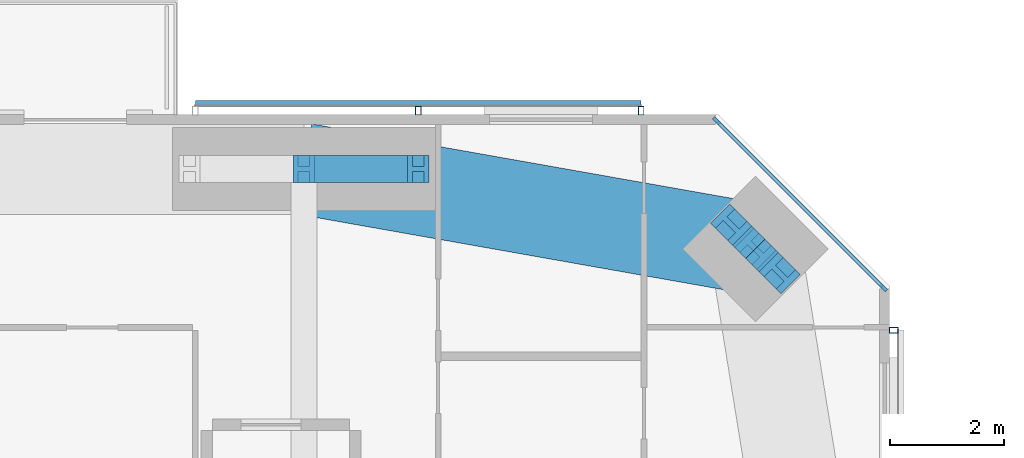
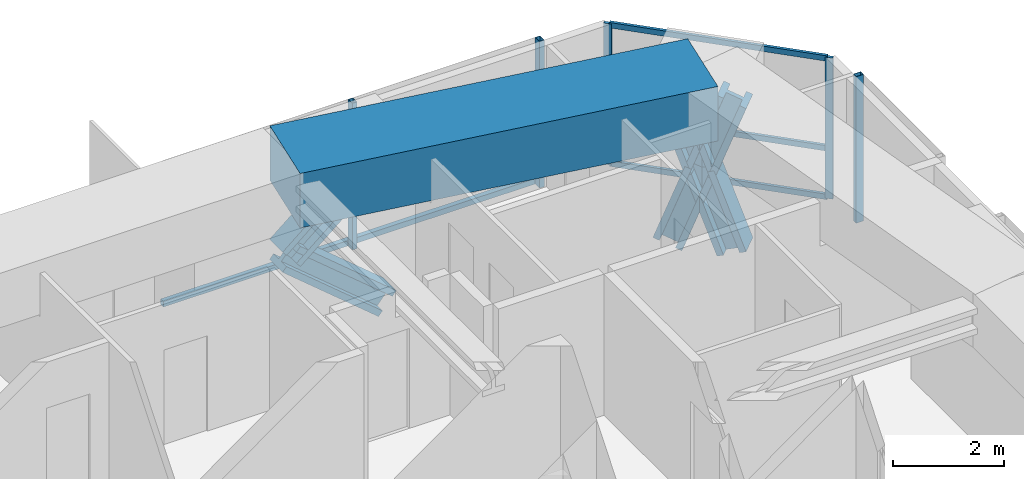
# One storey, part 13 of 23: 15 members, 1 beam, 3 elements without a shape of their own.
"""IFC4 building model written with IfcOpenShell, lengths in metres."""

from ifc_helpers import new_model, si_unit, direction, frame, origin, origin_2d, place, context, subcontext, project, spatial, rectangle, hollow_rectangle, i_section, extrude, material, material_profile, profile_set, type_object, element, aggregate, save


model = new_model("IFC4")

# Units and contexts
model_context = context("Model", 3, precision=1e-05, world=origin(), true_north=direction((0.0, 1.0)))
body_context = subcontext(model_context, "Body", "Model", "MODEL_VIEW")
ifc_project = project(units=[si_unit("LENGTHUNIT", "METRE"), si_unit("AREAUNIT", "SQUARE_METRE"), si_unit("VOLUMEUNIT", "CUBIC_METRE"), si_unit("PLANEANGLEUNIT", "RADIAN"), si_unit("MASSUNIT", "GRAM", prefix="KILO")], contexts=[model_context])

# Site, building, storey
site_placement = place(None, origin())
site = spatial("IfcSite", under=ifc_project, at=site_placement, CompositionType="ELEMENT")
building_placement = place(site_placement, origin())
building = spatial("IfcBuilding", under=site, at=building_placement, Name="Jalousie Tower", CompositionType="ELEMENT")
storey_placement = place(building_placement, frame((0.0, 0.0, 171.10009765625)))
storey = spatial("IfcBuildingStorey", under=building, at=storey_placement, Name="L46", CompositionType="ELEMENT", Elevation=171.10009765625)

# Curtain wall, members
ifc_material_1 = material(Name="Aluminium curtain wall", Category="aluminium")
curtain_wall_type_1 = type_object("IfcCurtainWallType", Name="CORNER WINDOW WALL", PredefinedType="USERDEFINED", material=ifc_material_1)
curtain_wall_1_placement = place(storey_placement, origin())
curtain_wall_1 = element("IfcCurtainWall", 1, at=curtain_wall_1_placement, inside=storey, type_object=curtain_wall_type_1, Name="Corner Window Wall L46 4", ObjectType="CORNER WINDOW WALL", PredefinedType="USERDEFINED")
ifc_material_2 = material(Name="Aluminium mullion", Category="aluminium")
ifc_material_profile_1 = material_profile(ifc_material_2, rectangle(XDim=0.06005859375, YDim=0.14990234375, at=origin_2d()), Name="MULLION 60x150")
ifc_profile_set_1 = profile_set([ifc_material_profile_1], Name="Aluminium mullion")
member_type_1 = type_object("IfcMemberType", Name="CORNER WINDOW WALL MULLION", PredefinedType="MULLION", material=ifc_profile_set_1)
member_1_placement = place(storey_placement, frame((52.891357421875, 32.969970703125, 0.0), z_axis=(0.0, 0.0, 1.0), x_axis=(-0.707106781187, -0.707106781187, 0.0)))
member_1 = element("IfcMember", 2, at=member_1_placement, type_object=member_type_1, Name="CW-C mullion 1", PredefinedType="MULLION", context=body_context, shape_type="SweptSolid", body=[
    extrude(rectangle(XDim=0.06005859375, YDim=0.14990234375, at=origin_2d()), origin(), (0.0, 0.0, 1.0), 3.10986328125),
])
member_2_placement = place(storey_placement, frame((49.969970703125, 35.891357421875, 0.0), z_axis=(0.0, 0.0, 1.0), x_axis=(-0.707106781187, -0.707106781187, 0.0)))
member_2 = element("IfcMember", 3, at=member_2_placement, type_object=member_type_1, Name="CW-C mullion 2", PredefinedType="MULLION", context=body_context, shape_type="SweptSolid", body=[
    extrude(rectangle(XDim=0.06005859375, YDim=0.14990234375, at=origin_2d()), origin(), (0.0, 0.0, 1.0), 3.10986328125),
])
ifc_material_3 = material(Name="Aluminium transom", Category="aluminium")
ifc_material_profile_2 = material_profile(ifc_material_3, rectangle(XDim=0.06005859375, YDim=0.1201171875, at=origin_2d()), Name="TRANSOM 60x120")
ifc_profile_set_2 = profile_set([ifc_material_profile_2], Name="Aluminium transom")
member_type_2 = type_object("IfcMemberType", Name="CORNER WINDOW WALL TRANSOM", PredefinedType="USERDEFINED", material=ifc_profile_set_2)
member_3_placement = place(storey_placement, frame((52.8701171875, 32.9912109375, 0.02978515625), z_axis=(-0.707106781187, 0.707106781187, 0.0), x_axis=(-0.707106781187, -0.707106781187, 0.0)))
member_3 = element("IfcMember", 4, at=member_3_placement, type_object=member_type_2, Name="CW-C transom 1.1", ObjectType="TRANSOM", PredefinedType="USERDEFINED", context=body_context, shape_type="SweptSolid", body=[
    extrude(rectangle(XDim=0.06005859375, YDim=0.1201171875, at=origin_2d()), origin(), (0.0, 0.0, 1.0), 4.0712890625),
])
member_4_placement = place(storey_placement, frame((52.8701171875, 32.9912109375, 1.099853515625), z_axis=(-0.707106781187, 0.707106781187, 0.0), x_axis=(-0.707106781187, -0.707106781187, 0.0)))
member_4 = element("IfcMember", 5, at=member_4_placement, type_object=member_type_2, Name="CW-C transom 1.2", ObjectType="TRANSOM", PredefinedType="USERDEFINED", context=body_context, shape_type="SweptSolid", body=[
    extrude(rectangle(XDim=0.06005859375, YDim=0.1201171875, at=origin_2d()), origin(), (0.0, 0.0, 1.0), 4.0712890625),
])
member_5_placement = place(storey_placement, frame((52.8701171875, 32.9912109375, 3.079833984375), z_axis=(-0.707106781187, 0.707106781187, 0.0), x_axis=(-0.707106781187, -0.707106781187, 0.0)))
member_5 = element("IfcMember", 6, at=member_5_placement, type_object=member_type_2, Name="CW-C transom 1.3", ObjectType="TRANSOM", PredefinedType="USERDEFINED", context=body_context, shape_type="SweptSolid", body=[
    extrude(rectangle(XDim=0.06005859375, YDim=0.1201171875, at=origin_2d()), origin(), (0.0, 0.0, 1.0), 4.0712890625),
])
aggregate(curtain_wall_1, [member_1, member_2, member_3, member_4, member_5])

# Members
ifc_material_4 = material(Name="Steel ASTM A992 Grade 50", Category="steel")
ifc_material_profile_3 = material_profile(ifc_material_4, i_section(OverallWidth=0.472412109375, OverallDepth=0.5791015625, WebThickness=0.094970703125, FlangeThickness=0.1298828125, at=origin_2d()), Name="W14X808")
ifc_profile_set_3 = profile_set([ifc_material_profile_3], Name="Steel ASTM A992 Grade 50")
member_type_3 = type_object("IfcMemberType", Name="PERIMETER BRACE W14X808", PredefinedType="BRACE", material=ifc_profile_set_3)
for number, where, z_axis, x_axis, name in (
    (7, (51.07568359375, 33.227294921875, -0.60009765625), (-0.238345540878, 0.238482757655, 0.941444303953), (-0.707310235866, -0.706903267951, 0.0), "Perimeter brace 08 L46 part 1"),
    (8, (50.651611328125, 33.651611328125, 1.074951171875), (-0.238482757655, 0.238345540878, 0.941444303953), (-0.706903267951, -0.707310235866, 0.0), "Perimeter brace 08 L46 part 2"),
    (9, (50.227294921875, 34.07568359375, -0.60009765625), (0.238482757655, -0.238345540878, 0.941444303953), (0.706903267951, 0.707310235866, 0.0), "Perimeter brace 08 L46 part 3"),
    (10, (50.651611328125, 33.651611328125, 1.074951171875), (0.238345540878, -0.238482757655, 0.941444303953), (0.707310235866, 0.706903267951, 0.0), "Perimeter brace 08 L46 part 4"),
):
    element("IfcMember", number, at=place(storey_placement, frame(where, z_axis=z_axis, x_axis=x_axis)), inside=storey, type_object=member_type_3, Name=name, PredefinedType="BRACE", context=body_context, shape_type="SweptSolid", body=[
        extrude(i_section(OverallWidth=0.472412109375, OverallDepth=0.5791015625, WebThickness=0.094970703125, FlangeThickness=0.1298828125, at=origin_2d()), origin(), (0.0, 0.0, 1.0), 1.779296875),
    ])
for number, where, z_axis, x_axis, name in (
    (11, (42.75, 35.050048828125, 1.074951171875), (0.766638753323, 0.0, 0.642078672674), (0.0, 1.0, 0.0), "Perimeter brace 09 L46 part 2"),
    (12, (44.75, 35.050048828125, -0.60009765625), (-0.766638753323, 0.0, 0.642078672674), (0.0, -1.0, 0.0), "Perimeter brace 09 L46 part 3"),
):
    element("IfcMember", number, at=place(storey_placement, frame(where, z_axis=z_axis, x_axis=x_axis)), inside=storey, type_object=member_type_3, Name=name, PredefinedType="BRACE", context=body_context, shape_type="SweptSolid", body=[
        extrude(i_section(OverallWidth=0.472412109375, OverallDepth=0.5791015625, WebThickness=0.094970703125, FlangeThickness=0.1298828125, at=origin_2d()), origin(), (0.0, 0.0, 1.0), 2.60888671875),
    ])

# Beam
ifc_material_5 = material(Name="Concrete f'c 40 MPa", Category="concrete")
ifc_material_profile_4 = material_profile(ifc_material_5, rectangle(XDim=1.60009765625, YDim=1.199951171875, at=origin_2d()), Name="RC 1600x1200")
ifc_profile_set_4 = profile_set([ifc_material_profile_4], Name="Concrete f'c 40 MPa")
beam_type = type_object("IfcBeamType", Name="RC BEAM 1600x1200", PredefinedType="BEAM", material=ifc_profile_set_4)
beam_placement = place(storey_placement, frame((50.651611328125, 33.651611328125, 2.75), z_axis=(-0.984697370688, 0.174273027632, 0.0), x_axis=(-0.174273027632, -0.984697370688, 0.0)))
element("IfcBeam", 13, at=beam_placement, inside=storey, type_object=beam_type, Name="Edge band beam 08-09 under L47", PredefinedType="BEAM", context=body_context, shape_type="SweptSolid", body=[
    extrude(rectangle(XDim=1.60009765625, YDim=1.199951171875, at=origin_2d()), origin(), (0.0, 0.0, 1.0), 8.0244140625),
])

# Curtain wall, member
ifc_material_6 = material(Name="Perforated aluminium sheet", Category="aluminium")
curtain_wall_type_2 = type_object("IfcCurtainWallType", Name="SOLAR SCREEN SS-1", PredefinedType="USERDEFINED", material=ifc_material_6)
curtain_wall_2_placement = place(storey_placement, origin())
curtain_wall_2 = element("IfcCurtainWall", 14, at=curtain_wall_2_placement, inside=storey, type_object=curtain_wall_type_2, Name="Solar screen L46", ObjectType="SOLAR SCREEN SS-1", PredefinedType="USERDEFINED")
ifc_material_7 = material(Name="Steel ASTM A500 Grade C", Category="steel")
ifc_material_profile_5 = material_profile(ifc_material_7, hollow_rectangle(XDim=0.1015625, YDim=0.15234375, WallThickness=0.00634765625, at=origin_2d()), Name="HSS6X4X1/4")
ifc_profile_set_5 = profile_set([ifc_material_profile_5], Name="Steel ASTM A500 Grade C")
member_type_4 = type_object("IfcMemberType", Name="SOLAR SCREEN SS-1 MULLION", PredefinedType="MULLION", material=ifc_profile_set_5)
member_6_placement = place(storey_placement, frame((53.0712890625, 32.228759765625, -0.1201171875), z_axis=(0.0, 0.0, 1.0), x_axis=(0.0, 1.0, 0.0)))
member_6 = element("IfcMember", 15, at=member_6_placement, type_object=member_type_4, Name="SS1 post 2", PredefinedType="MULLION", context=body_context, shape_type="SweptSolid", body=[
    extrude(hollow_rectangle(XDim=0.1015625, YDim=0.15234375, WallThickness=0.00634765625, at=origin_2d()), origin(), (0.0, 0.0, 1.0), 3.22998046875),
])
aggregate(curtain_wall_2, [member_6])

# Curtain wall, members
curtain_wall_3_placement = place(storey_placement, origin())
curtain_wall_3 = element("IfcCurtainWall", 16, at=curtain_wall_3_placement, inside=storey, type_object=curtain_wall_type_2, Name="Solar screen L46", ObjectType="SOLAR SCREEN SS-1", PredefinedType="USERDEFINED")
member_7_placement = place(storey_placement, frame((48.64990234375, 36.0712890625, -0.1201171875), z_axis=(0.0, 0.0, 1.0), x_axis=(-1.0, 0.0, 0.0)))
member_7 = element("IfcMember", 17, at=member_7_placement, type_object=member_type_4, Name="SS1 post 1", PredefinedType="MULLION", context=body_context, shape_type="SweptSolid", body=[
    extrude(hollow_rectangle(XDim=0.1015625, YDim=0.15234375, WallThickness=0.00634765625, at=origin_2d()), origin(), (0.0, 0.0, 1.0), 3.22998046875),
])
member_8_placement = place(storey_placement, frame((44.75, 36.0712890625, -0.1201171875), z_axis=(0.0, 0.0, 1.0), x_axis=(-1.0, 0.0, 0.0)))
member_8 = element("IfcMember", 18, at=member_8_placement, type_object=member_type_4, Name="SS1 post 2", PredefinedType="MULLION", context=body_context, shape_type="SweptSolid", body=[
    extrude(hollow_rectangle(XDim=0.1015625, YDim=0.15234375, WallThickness=0.00634765625, at=origin_2d()), origin(), (0.0, 0.0, 1.0), 3.22998046875),
])
ifc_material_8 = material(Name="Extruded aluminium screen rail", Category="aluminium")
ifc_material_profile_6 = material_profile(ifc_material_8, rectangle(XDim=0.1015625, YDim=0.1201171875, at=origin_2d()), Name="RAIL 102x120")
ifc_profile_set_6 = profile_set([ifc_material_profile_6], Name="Extruded aluminium screen rail")
member_type_5 = type_object("IfcMemberType", Name="SOLAR SCREEN SS-1 TRANSOM", PredefinedType="USERDEFINED", material=ifc_profile_set_6)
member_9_placement = place(storey_placement, frame((48.64990234375, 36.1982421875, -0.06005859375), z_axis=(-1.0, 0.0, 0.0), x_axis=(0.0, -1.0, 0.0)))
member_9 = element("IfcMember", 19, at=member_9_placement, type_object=member_type_5, Name="SS1 rail", ObjectType="TRANSOM", PredefinedType="USERDEFINED", context=body_context, shape_type="SweptSolid", body=[
    extrude(rectangle(XDim=0.1015625, YDim=0.1201171875, at=origin_2d()), origin(), (0.0, 0.0, 1.0), 7.7998046875),
])
aggregate(curtain_wall_3, [member_7, member_8, member_9])

save(model, "model.ifc")
